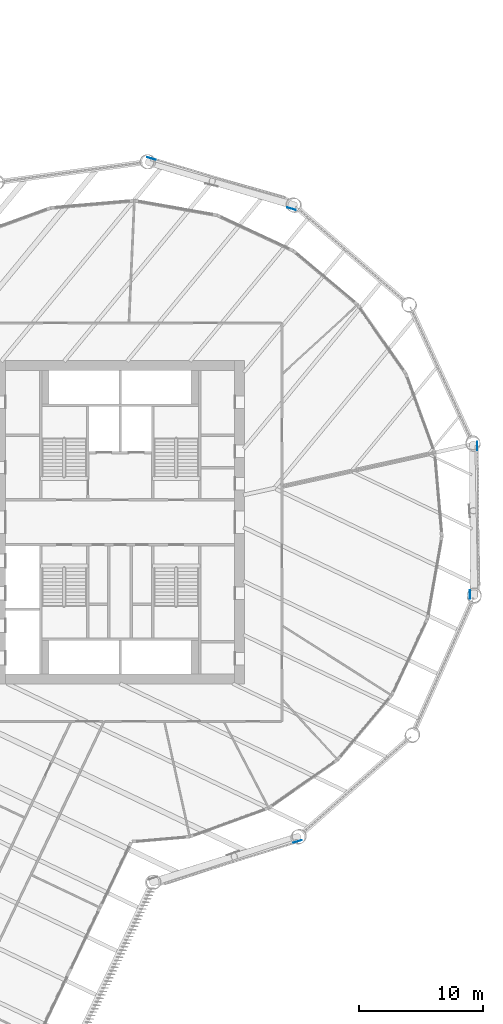
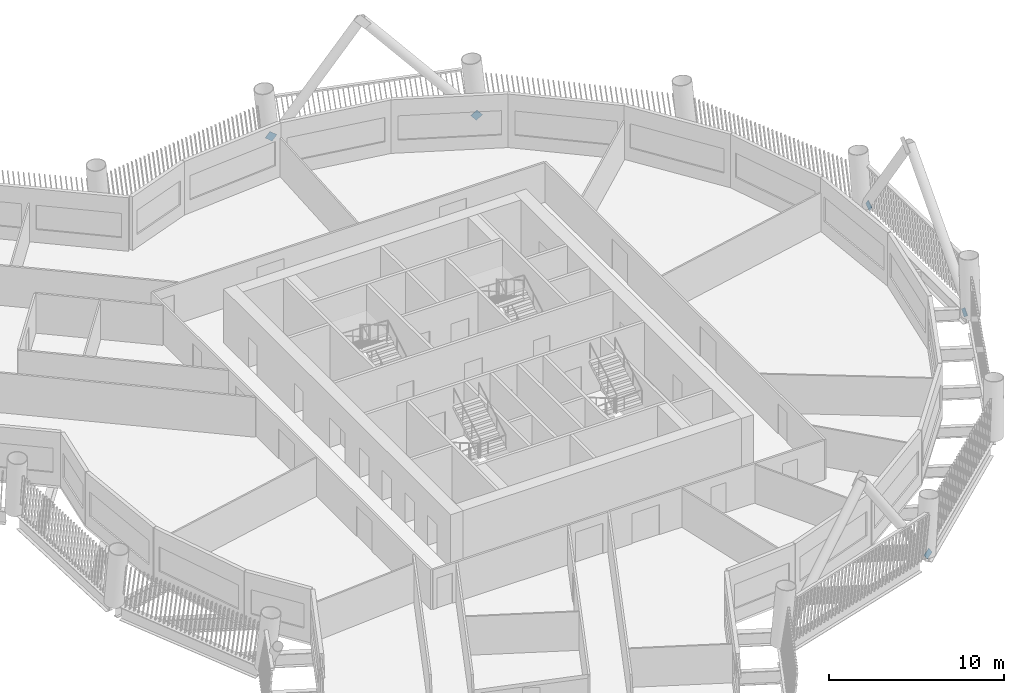
# One storey, part 13 of 22: 5 discrete accessories.
"""IFC4 building model written with IfcOpenShell, lengths in metres."""

from ifc_helpers import new_model, si_unit, direction, frame, origin, origin_2d, place, context, subcontext, project, spatial, rectangle, extrude, material, material_profile, profile_set, type_object, element, save


model = new_model("IFC4")

# Units and contexts
model_context = context("Model", 3, precision=1e-05, world=origin(), true_north=direction((0.0, 1.0)))
body_context = subcontext(model_context, "Body", "Model", "MODEL_VIEW")
ifc_project = project(units=[si_unit("LENGTHUNIT", "METRE"), si_unit("AREAUNIT", "SQUARE_METRE"), si_unit("VOLUMEUNIT", "CUBIC_METRE"), si_unit("PLANEANGLEUNIT", "RADIAN"), si_unit("MASSUNIT", "GRAM", prefix="KILO")], contexts=[model_context])

# Site, building, storey
site_placement = place(None, origin())
site = spatial("IfcSite", under=ifc_project, at=site_placement, CompositionType="ELEMENT")
building_placement = place(site_placement, origin())
building = spatial("IfcBuilding", under=site, at=building_placement, Name="Tarsis Ring Headquarters", CompositionType="ELEMENT")
storey_placement = place(building_placement, frame((0.0, 0.0, 108.39990234375)))
storey = spatial("IfcBuildingStorey", under=building, at=storey_placement, Name="L24", CompositionType="ELEMENT", Elevation=108.39990234375)

# Discrete accessories
ifc_material = material(Name="Structural steel S355", Category="steel")
ifc_material_profile = material_profile(ifc_material, rectangle(XDim=0.02490234375, YDim=0.5, at=origin_2d()), Name="PL 25x500")
ifc_profile_set = profile_set([ifc_material_profile], Name="Structural steel S355")
discrete_accessory_type = type_object("IfcDiscreteAccessoryType", Name="Gusset plate Exo brace 25", PredefinedType="BRACKET", material=ifc_profile_set)
discrete_accessory_1_placement = place(storey_placement, frame((14.376953125, -25.59765625, 0.0), z_axis=(-0.540473869905, -0.166975667125, 0.824625443785), x_axis=(0.29517735133, -0.955442479306, 0.0)))
element("IfcDiscreteAccessory", 1, at=discrete_accessory_1_placement, inside=storey, type_object=discrete_accessory_type, Name="Gusset plate GP5", PredefinedType="BRACKET", context=body_context, shape_type="SweptSolid", body=[
    extrude(rectangle(XDim=0.02490234375, YDim=0.5, at=origin_2d()), origin(), (0.0, 0.0, 1.0), 0.5),
])
discrete_accessory_2_placement = place(storey_placement, frame((28.11083984375, -5.9736328125, 0.0), z_axis=(-0.004392724493, 0.662325237461, 0.749203566325), x_axis=(-0.999978007176, -0.006632131219, 0.0)))
element("IfcDiscreteAccessory", 2, at=discrete_accessory_2_placement, inside=storey, type_object=discrete_accessory_type, Name="Gusset plate GP5", PredefinedType="BRACKET", context=body_context, shape_type="SweptSolid", body=[
    extrude(rectangle(XDim=0.02490234375, YDim=0.5, at=origin_2d()), origin(), (0.0, 0.0, 1.0), 0.500244140625),
])
for number, where, z_axis, x_axis, name in (
    (3, (28.679443359375, 6.2783203125, 0.0), (0.001953265412, -0.565470336779, 0.824766320225), (0.999994034196, 0.003454210826, 0.0), "Gusset plate GP5"),
    (4, (13.919189453125, 25.142822265625, 0.0), (-0.634637781401, 0.188926785694, 0.749360764962), (-0.285318095635, -0.958432879394, 0.0), "Gusset plate GP5"),
    (5, (2.366943359375, 29.262939453125, 0.0), (0.541513331131, -0.163088776012, 0.824721385285), (0.288377469299, 0.957516806746, 0.0), "Gusset plate GP5"),
):
    element("IfcDiscreteAccessory", number, at=place(storey_placement, frame(where, z_axis=z_axis, x_axis=x_axis)), inside=storey, type_object=discrete_accessory_type, Name=name, PredefinedType="BRACKET", context=body_context, shape_type="SweptSolid", body=[
        extrude(rectangle(XDim=0.02490234375, YDim=0.5, at=origin_2d()), origin(), (0.0, 0.0, 1.0), 0.5),
    ])

save(model, "model.ifc")
